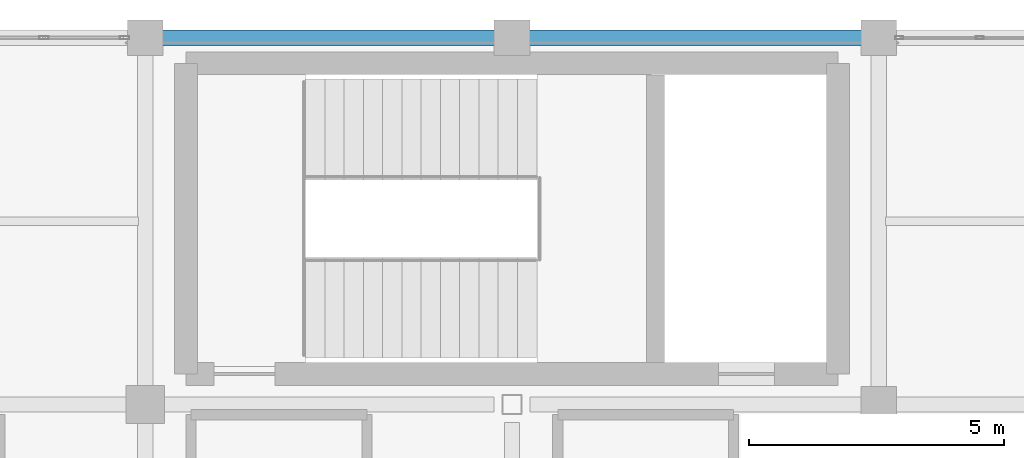
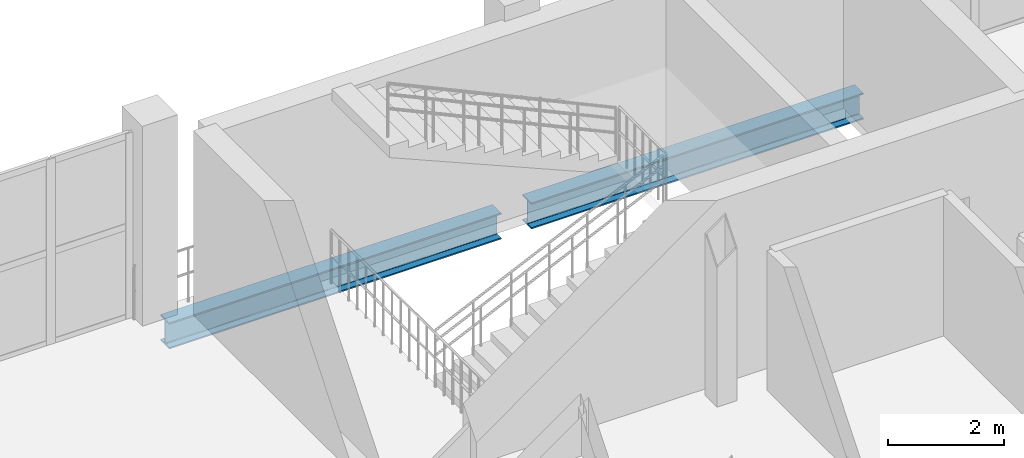
# One storey, part 87 of 130: 2 beams.
"""IFC4 building model written with IfcOpenShell, lengths in metres."""

from ifc_helpers import new_model, si_unit, direction, frame, origin, origin_2d, place, context, subcontext, project, spatial, i_section, extrude, material, material_profile, profile_set, type_object, element, save


model = new_model("IFC4")

# Units and contexts
model_context = context("Model", 3, precision=1e-05, world=origin(), true_north=direction((0.0, 1.0)))
body_context = subcontext(model_context, "Body", "Model", "MODEL_VIEW")
ifc_project = project(units=[si_unit("LENGTHUNIT", "METRE"), si_unit("AREAUNIT", "SQUARE_METRE"), si_unit("VOLUMEUNIT", "CUBIC_METRE"), si_unit("PLANEANGLEUNIT", "RADIAN"), si_unit("MASSUNIT", "GRAM", prefix="KILO")], contexts=[model_context])

# Site, building, storey
site_placement = place(None, origin())
site = spatial("IfcSite", under=ifc_project, at=site_placement, CompositionType="ELEMENT")
building_placement = place(site_placement, origin())
building = spatial("IfcBuilding", under=site, at=building_placement, Name="Qandorah Velis Arena", CompositionType="ELEMENT")
storey_placement = place(building_placement, frame((0.0, 0.0, 9.60009765625)))
storey = spatial("IfcBuildingStorey", under=building, at=storey_placement, Name="L02", CompositionType="ELEMENT", Elevation=9.60009765625)

# Beams
ifc_material = material(Name="Steel S355", Category="steel")
ifc_material_profile = material_profile(ifc_material, i_section(OverallWidth=0.300048828125, OverallDepth=0.550048828125, WebThickness=0.014892578125, FlangeThickness=0.029052734375, FilletRadius=0.027099609375, at=origin_2d()), Name="HEB 550")
ifc_profile_set = profile_set([ifc_material_profile], Name="Steel S355")
beam_type = type_object("IfcBeamType", Name="STR-BM-HEB550", PredefinedType="BEAM", material=ifc_profile_set)
beam_1_placement = place(storey_placement, frame((72.300048828125, 129.60009765625, -0.55517578125), z_axis=(1.0, 0.0, 0.0), x_axis=(0.0, 1.0, 0.0)))
element("IfcBeam", 1, at=beam_1_placement, inside=storey, type_object=beam_type, Name="Primary floor girder L02 X-178", PredefinedType="BEAM", context=body_context, shape_type="SweptSolid", body=[
    extrude(i_section(OverallWidth=0.300048828125, OverallDepth=0.550048828125, WebThickness=0.014892578125, FlangeThickness=0.029052734375, FilletRadius=0.027099609375, at=origin_2d()), origin(), (0.0, 0.0, 1.0), 6.599853515625),
])
beam_2_placement = place(storey_placement, frame((79.5, 129.60009765625, -0.55517578125), z_axis=(1.0, 0.0, 0.0), x_axis=(0.0, 1.0, 0.0)))
element("IfcBeam", 2, at=beam_2_placement, inside=storey, type_object=beam_type, Name="Primary floor girder L02 X-179", PredefinedType="BEAM", context=body_context, shape_type="SweptSolid", body=[
    extrude(i_section(OverallWidth=0.300048828125, OverallDepth=0.550048828125, WebThickness=0.014892578125, FlangeThickness=0.029052734375, FilletRadius=0.027099609375, at=origin_2d()), origin(), (0.0, 0.0, 1.0), 6.60009765625),
])

save(model, "model.ifc")
